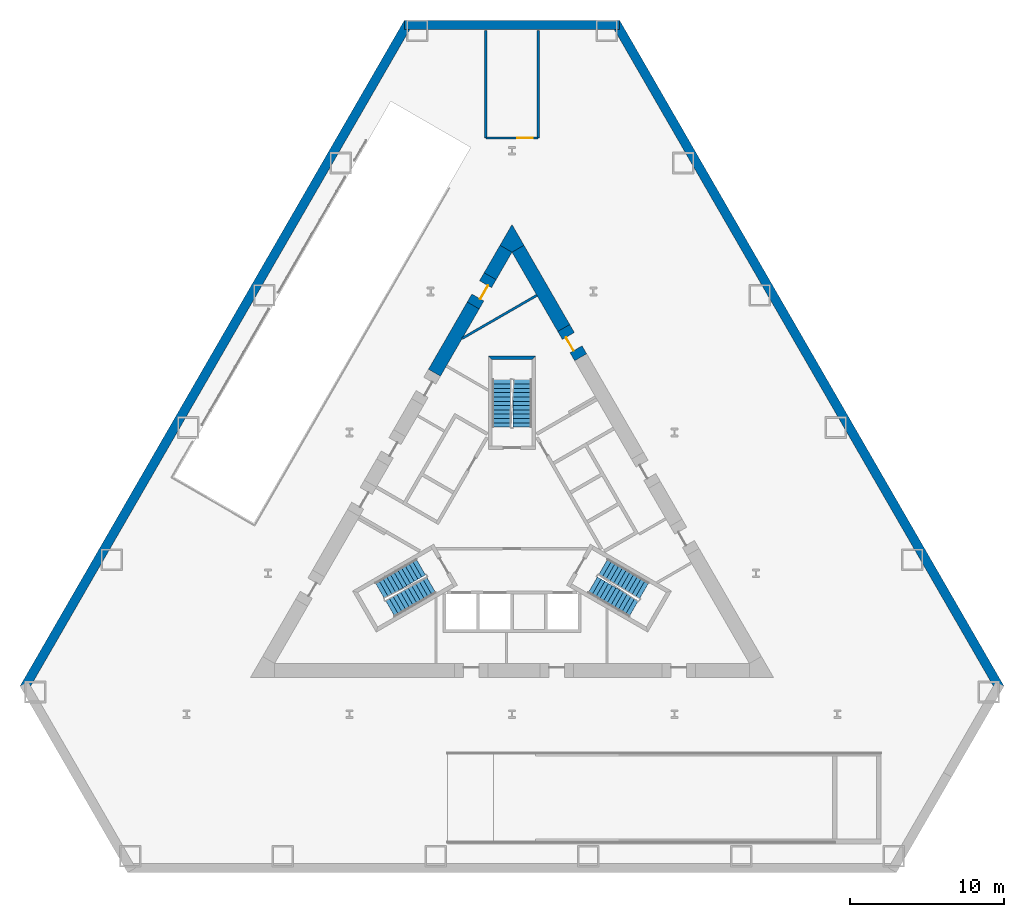
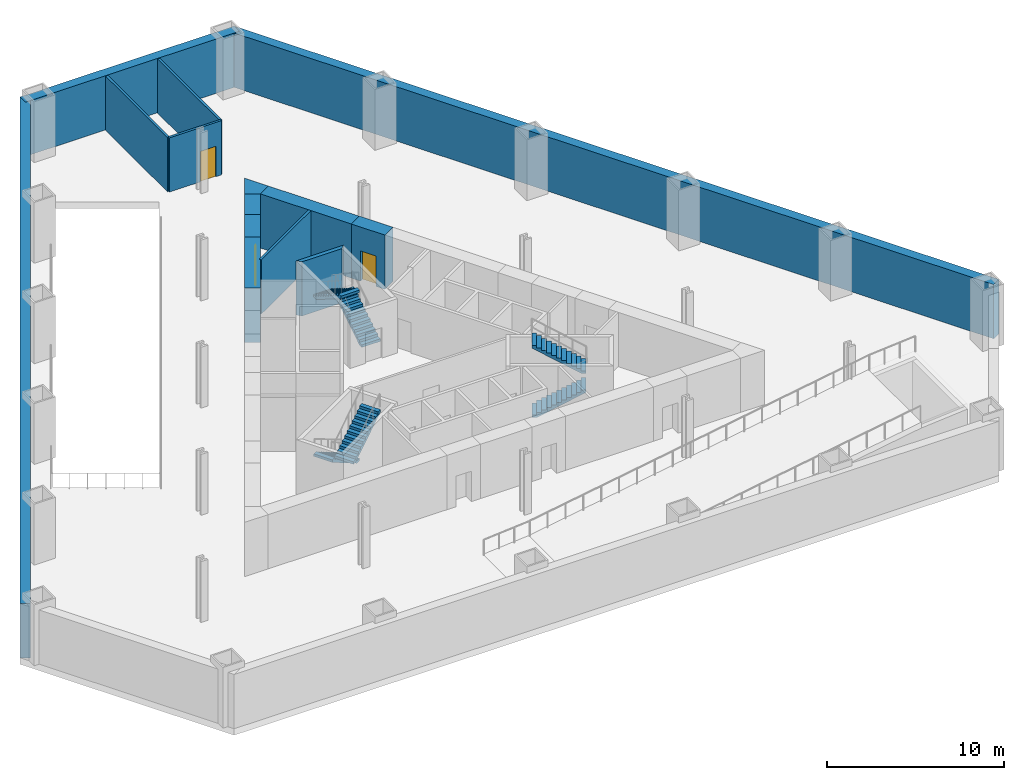
# One storey, part 4 of 5: 14 walls, 6 stair flights, 3 doors, 3 openings, 3 elements without a shape of their own.
"""IFC4 building model written with IfcOpenShell, lengths in metres."""

from ifc_helpers import new_model, si_unit, direction, frame, frame_2d, origin, place, context, subcontext, project, spatial, polyline, rectangle, outline, extrude, material, layer, layer_set, type_object, element, fill, aggregate, save


model = new_model("IFC4")

# Units and contexts
model_context = context("Model", 3, precision=1e-05, world=origin(), true_north=direction((0.0, 1.0)))
body_context = subcontext(model_context, "Body", "Model", "MODEL_VIEW")
ifc_project = project(units=[si_unit("LENGTHUNIT", "METRE"), si_unit("AREAUNIT", "SQUARE_METRE"), si_unit("VOLUMEUNIT", "CUBIC_METRE"), si_unit("PLANEANGLEUNIT", "RADIAN"), si_unit("MASSUNIT", "GRAM", prefix="KILO")], contexts=[model_context])

# Site, building, storey
site_placement = place(None, origin())
site = spatial("IfcSite", under=ifc_project, at=site_placement, CompositionType="ELEMENT")
building_placement = place(site_placement, origin())
building = spatial("IfcBuilding", under=site, at=building_placement, Name="Cormorant Prow Tower", CompositionType="ELEMENT")
storey_placement = place(building_placement, frame((0.0, 0.0, -4.199951171875)))
storey = spatial("IfcBuildingStorey", under=building, at=storey_placement, Name="B1", CompositionType="ELEMENT", Elevation=-4.199951171875)

# Walls
ifc_material_1 = material(Name="Concrete C45/55", Category="concrete")
ifc_layer_1 = layer(ifc_material_1, 0.60009765625)
ifc_layer_set_1 = layer_set([ifc_layer_1], Name="Concrete C45/55")
wall_type_1 = type_object("IfcWallType", Name="Basement retaining wall 600", PredefinedType="SOLIDWALL", material=ifc_layer_set_1)
wall_1_placement = place(storey_placement, frame((31.740234375, -10.542236328125, 0.0), z_axis=(0.0, 0.0, 1.0), x_axis=(-0.500000005698, 0.866025400495, 0.0)))
element("IfcWall", 1, at=wall_1_placement, inside=storey, type_object=wall_type_1, Name="Basement retaining wall 4 at B1", PredefinedType="SOLIDWALL", context=body_context, shape_type="SweptSolid", body=[
    extrude(rectangle(XDim=50.0, YDim=0.60009765625, at=frame_2d((25.0, 0.0))), origin(), (0.0, 0.0, 1.0), 3.75),
])
wall_2_placement = place(storey_placement, frame((7.0, 32.60888671875, 0.0), z_axis=(0.0, 0.0, 1.0), x_axis=(-1.0, 0.0, 0.0)))
element("IfcWall", 2, at=wall_2_placement, inside=storey, type_object=wall_type_1, Name="Basement retaining wall 5 at B1", PredefinedType="SOLIDWALL", context=body_context, shape_type="SweptSolid", body=[
    extrude(rectangle(XDim=14.0, YDim=0.60009765625, at=frame_2d((7.0, 0.0))), origin(), (0.0, 0.0, 1.0), 3.75),
])
wall_3_placement = place(storey_placement, frame((-6.740234375, 32.759033203125, 0.0), z_axis=(0.0, 0.0, 1.0), x_axis=(-0.500000005698, -0.866025400495, 0.0)))
element("IfcWall", 3, at=wall_3_placement, inside=storey, type_object=wall_type_1, Name="Basement retaining wall 6 at B1", PredefinedType="SOLIDWALL", context=body_context, shape_type="SweptSolid", body=[
    extrude(rectangle(XDim=50.0, YDim=0.60009765625, at=frame_2d((25.0, 0.0))), origin(), (0.0, 0.0, 1.0), 3.75),
])
ifc_material_2 = material(Name="Gypsum board partition")
ifc_layer_2 = layer(ifc_material_2, 0.14990234375)
ifc_layer_set_2 = layer_set([ifc_layer_2], Name="Gypsum board partition")
wall_type_2 = type_object("IfcWallType", Name="Core partition 150", PredefinedType="PARTITIONING", material=ifc_layer_set_2)
wall_4_placement = place(storey_placement, frame((1.61865234375, 15.0263671875, 0.0), z_axis=(0.0, 0.0, 1.0), x_axis=(-0.866015917575, -0.500016430238, 0.0)))
element("IfcWall", 4, at=wall_4_placement, inside=storey, type_object=wall_type_2, Name="Service room partition", PredefinedType="PARTITIONING", context=body_context, shape_type="SweptSolid", body=[
    extrude(rectangle(XDim=5.607177734375, YDim=0.14990234375, at=frame_2d((2.8037109375, 0.0))), origin(), (0.0, 0.0, 1.0), 3.75),
])
for number, where, z_axis, x_axis, name in (
    (5, (1.699951171875, 32.259033203125, 0.0), (0.0, 0.0, 1.0), (0.0, -1.0, 0.0), "Tunnel link wall"),
    (6, (-1.699951171875, 25.259033203125, 0.0), (0.0, 0.0, 1.0), (0.0, 1.0, 0.0), "Tunnel link wall"),
):
    element("IfcWall", number, at=place(storey_placement, frame(where, z_axis=z_axis, x_axis=x_axis)), inside=storey, type_object=wall_type_2, Name=name, PredefinedType="PARTITIONING", context=body_context, shape_type="SweptSolid", body=[
        extrude(rectangle(XDim=7.0, YDim=0.14990234375, at=frame_2d((3.5, 0.0))), origin(), (0.0, 0.0, 1.0), 3.75),
    ])

# Wall, opening, door
wall_5_placement = place(storey_placement, frame((1.699951171875, 25.259033203125, 0.0), z_axis=(0.0, 0.0, 1.0), x_axis=(-1.0, 0.0, 0.0)))
wall_5 = element("IfcWall", 7, at=wall_5_placement, inside=storey, type_object=wall_type_2, Name="Tunnel link end wall", PredefinedType="PARTITIONING", context=body_context, shape_type="SweptSolid", body=[
    extrude(rectangle(XDim=3.39990234375, YDim=0.14990234375, at=frame_2d((1.699951171875, 0.0))), origin(), (0.0, 0.0, 1.0), 3.75),
])
opening_1_placement = place(wall_5_placement, frame((0.35009765625, 0.0, 0.0)))
opening_1 = element("IfcOpeningElement", 8, at=opening_1_placement, cuts=wall_5, Name="Opening B1-TL01", PredefinedType="OPENING", context=body_context, shape_type="SweptSolid", body=[
    extrude(rectangle(XDim=1.0, YDim=2.10009765625, at=frame_2d((0.5, 1.050048828125))), frame((0.0, 0.0849609375, 0.0), z_axis=(0.0, -1.0, 0.0), x_axis=(1.0, 0.0, 0.0)), (0.0, 0.0, 1.0), 0.169921875),
])
ifc_material_3 = material(Name="Painted steel", Category="steel")
door_type_1 = type_object("IfcDoorType", Name="Loading dock personnel door 1000x2100", OperationType="NOTDEFINED", PredefinedType="DOOR", material=ifc_material_3)
door_1_placement = place(opening_1_placement, origin())
door_1 = element("IfcDoor", 9, at=door_1_placement, inside=storey, type_object=door_type_1, Name="Tunnel link door", OperationType="SINGLE_SWING_LEFT", OverallHeight=2.10009765625, OverallWidth=1.0, PredefinedType="DOOR", context=body_context, shape_type="SweptSolid", body=[
    extrude(rectangle(XDim=1.0, YDim=2.10009765625, at=frame_2d((0.5, 1.050048828125))), frame((0.0, 0.02490234375, 0.0), z_axis=(0.0, -1.0, 0.0), x_axis=(1.0, 0.0, 0.0)), (0.0, 0.0, 1.0), 0.050048828125),
])
fill(opening_1, door_1)

# Walls
ifc_material_4 = material(Name="Concrete 8000 psi", Category="concrete")
ifc_layer_3 = layer(ifc_material_4, 0.89990234375)
ifc_layer_set_3 = layer_set([ifc_layer_3], Name="Concrete 8000 psi")
wall_type_3 = type_object("IfcWallType", Name="Core shear wall 900", PredefinedType="SHEAR", material=ifc_layer_set_3)
wall_6_placement = place(storey_placement, frame((3.365478515625, 12.900390625, 0.0), z_axis=(0.0, 0.0, 1.0), x_axis=(-0.499981657175, 0.86603599376, 0.0)))
element("IfcWall", 10, at=wall_6_placement, inside=storey, type_object=wall_type_3, Name="Core wall", PredefinedType="SHEAR", context=body_context, shape_type="SweptSolid", body=[
    extrude(rectangle(XDim=5.951904296875, YDim=0.89990234375, at=frame_2d((2.97607421875, 0.0))), origin(), (0.0, 0.0, 1.0), 3.75),
])
wall_7_placement = place(storey_placement, frame((-2.52099609375, 14.363525390625, 0.0), z_axis=(0.0, 0.0, 1.0), x_axis=(-0.500014099723, -0.866017263153, 0.0)))
element("IfcWall", 11, at=wall_7_placement, inside=storey, type_object=wall_type_3, Name="Core wall", PredefinedType="SHEAR", context=body_context, shape_type="SweptSolid", body=[
    extrude(rectangle(XDim=5.048095703125, YDim=0.89990234375, at=frame_2d((2.52392578125, 0.0))), origin(), (0.0, 0.0, 1.0), 3.75),
])
wall_8_placement = place(storey_placement, frame((-0.3896484375, 18.054931640625, 0.0), z_axis=(0.0, 0.0, 1.0), x_axis=(-0.500009360108, -0.866019999656, 0.0)))
element("IfcWall", 12, at=wall_8_placement, inside=storey, type_object=wall_type_3, Name="Core wall", PredefinedType="SHEAR", context=body_context, shape_type="SweptSolid", body=[
    extrude(rectangle(XDim=2.0625, YDim=0.89990234375, at=frame_2d((1.03125, 0.0))), origin(), (0.0, 0.0, 1.0), 3.75),
])
wall_9_placement = place(storey_placement, origin())
element("IfcWall", 13, at=wall_9_placement, inside=storey, type_object=wall_type_3, Name="Core wall corner", PredefinedType="SHEAR", context=body_context, shape_type="SweptSolid", body=[
    extrude(outline(polyline([(-0.779296875, 18.27978515625), (0.0, 19.6298828125), (0.779296875, 18.27978515625), (0.0, 17.829833984375), (-0.779296875, 18.27978515625)])), origin(), (0.0, 0.0, 1.0), 3.75),
])

# Wall, opening, door
wall_10_placement = place(storey_placement, frame((4.465576171875, 10.995361328125, 0.0), z_axis=(0.0, 0.0, 1.0), x_axis=(-0.500077893725, 0.86598042715, 0.0)))
wall_10 = element("IfcWall", 14, at=wall_10_placement, inside=storey, type_object=wall_type_3, Name="Core wall door panel", PredefinedType="SHEAR", context=body_context, shape_type="SweptSolid", body=[
    extrude(rectangle(XDim=2.199951171875, YDim=0.89990234375, at=frame_2d((1.10009765625, 0.0))), origin(), (0.0, 0.0, 1.0), 3.75),
])
opening_2_placement = place(wall_10_placement, frame((0.60009765625, 0.0, 0.0)))
opening_2 = element("IfcOpeningElement", 15, at=opening_2_placement, cuts=wall_10, Name="Opening B1-C18", PredefinedType="OPENING", context=body_context, shape_type="SweptSolid", body=[
    extrude(rectangle(XDim=1.0, YDim=2.10009765625, at=frame_2d((0.5, 1.050048828125))), frame((0.0, 0.4599609375, 0.0), z_axis=(0.0, -1.0, 0.0), x_axis=(1.0, 0.0, 0.0)), (0.0, 0.0, 1.0), 0.919921875),
])
ifc_material_5 = material(Name="Painted steel", Category="steel")
door_type_2 = type_object("IfcDoorType", Name="Service door 1000x2100", OperationType="NOTDEFINED", PredefinedType="DOOR", material=ifc_material_5)
door_2_placement = place(opening_2_placement, origin())
door_2 = element("IfcDoor", 16, at=door_2_placement, inside=storey, type_object=door_type_2, Name="Core door, Housekeeping store", OperationType="SINGLE_SWING_RIGHT", OverallHeight=2.10009765625, OverallWidth=1.0, PredefinedType="DOOR", context=body_context, shape_type="SweptSolid", body=[
    extrude(rectangle(XDim=1.0, YDim=2.10009765625, at=frame_2d((0.5, 1.050048828125))), frame((0.0, 0.205078125, 0.0), z_axis=(0.0, -1.0, 0.0), x_axis=(1.0, 0.0, 0.0)), (0.0, 0.0, 1.0), 0.050048828125),
])
fill(opening_2, door_2)

wall_11_placement = place(storey_placement, frame((-1.4208984375, 16.268798828125, 0.0), z_axis=(0.0, 0.0, 1.0), x_axis=(-0.50002983664, -0.866008176907, 0.0)))
wall_11 = element("IfcWall", 17, at=wall_11_placement, inside=storey, type_object=wall_type_3, Name="Core wall door panel", PredefinedType="SHEAR", context=body_context, shape_type="SweptSolid", body=[
    extrude(rectangle(XDim=2.199951171875, YDim=0.89990234375, at=frame_2d((1.10009765625, 0.0))), origin(), (0.0, 0.0, 1.0), 3.75),
])
opening_3_placement = place(wall_11_placement, frame((0.60009765625, 0.0, 0.0)))
opening_3 = element("IfcOpeningElement", 18, at=opening_3_placement, cuts=wall_11, Name="Opening B1-C19", PredefinedType="OPENING", context=body_context, shape_type="SweptSolid", body=[
    extrude(rectangle(XDim=1.0, YDim=2.10009765625, at=frame_2d((0.5, 1.050048828125))), frame((0.0, 0.4599609375, 0.0), z_axis=(0.0, -1.0, 0.0), x_axis=(1.0, 0.0, 0.0)), (0.0, 0.0, 1.0), 0.919921875),
])
door_3_placement = place(opening_3_placement, origin())
door_3 = element("IfcDoor", 19, at=door_3_placement, inside=storey, type_object=door_type_2, Name="Core door, Electrical room", OperationType="SINGLE_SWING_RIGHT", OverallHeight=2.10009765625, OverallWidth=1.0, PredefinedType="DOOR", context=body_context, shape_type="SweptSolid", body=[
    extrude(rectangle(XDim=1.0, YDim=2.10009765625, at=frame_2d((0.5, 1.050048828125))), frame((0.0, 0.205078125, 0.0), z_axis=(0.0, -1.0, 0.0), x_axis=(1.0, 0.0, 0.0)), (0.0, 0.0, 1.0), 0.050048828125),
])
fill(opening_3, door_3)

# Wall
ifc_material_6 = material(Name="Concrete 8000 psi", Category="concrete")
ifc_layer_4 = layer(ifc_material_6, 0.25)
ifc_layer_set_4 = layer_set([ifc_layer_4], Name="Concrete 8000 psi")
wall_type_4 = type_object("IfcWallType", Name="Stair wall 250", PredefinedType="SHEAR", material=ifc_layer_set_4)
wall_12_placement = place(storey_placement, origin())
element("IfcWall", 20, at=wall_12_placement, inside=storey, type_object=wall_type_4, Name="Stair ST3 enclosure wall (end)", PredefinedType="SHEAR", context=body_context, shape_type="SweptSolid", body=[
    extrude(outline(polyline([(1.5439453125, 11.0869140625), (-1.5439453125, 11.0869140625), (-1.2939453125, 10.8369140625), (1.2939453125, 10.8369140625), (1.5439453125, 11.0869140625)])), origin(), (0.0, 0.0, 1.0), 3.75),
])

# Stair, stair flights
ifc_material_7 = material(Name="Exit stair 24 risers")
stair_type = type_object("IfcStairType", Name="Exit stair 24 risers", PredefinedType="HALF_TURN_STAIR", material=ifc_material_7)
stair_1_placement = place(storey_placement, origin())
stair_1 = element("IfcStair", 21, at=stair_1_placement, inside=storey, type_object=stair_type, Name="B1 Exit stair ST1", PredefinedType="HALF_TURN_STAIR")
ifc_material_8 = material(Name="Concrete 5000 psi", Category="concrete")
stair_flight_type = type_object("IfcStairFlightType", Name="Stair flight 1219", PredefinedType="STRAIGHT", material=ifc_material_8)
stair_flight_1_placement = place(storey_placement, frame((-5.93310546875, -2.635009765625, 0.0), z_axis=(0.0, 0.0, 1.0), x_axis=(-0.866025403784, -0.5, 0.0)))
stair_flight_1 = element("IfcStairFlight", 22, at=stair_flight_1_placement, type_object=stair_flight_type, Name="ST1 flight 1", NumberOfRisers=12, NumberOfTreads=11, PredefinedType="STRAIGHT", RiserHeight=0.175, TreadLength=0.28, context=body_context, shape_type="SweptSolid", body=[
    extrude(outline(polyline([(0.0, 0.0), (0.0, 0.175048828125), (0.280029296875, 0.175048828125), (0.280029296875, 0.35009765625), (0.56005859375, 0.35009765625), (0.56005859375, 0.52490234375), (0.840087890625, 0.52490234375), (0.840087890625, 0.699951171875), (1.1201171875, 0.699951171875), (1.1201171875, 0.875), (1.39990234375, 0.875), (1.39990234375, 1.050048828125), (1.679931640625, 1.050048828125), (1.679931640625, 1.22509765625), (1.9599609375, 1.22509765625), (1.9599609375, 1.39990234375), (2.239990234375, 1.39990234375), (2.239990234375, 1.574951171875), (2.52001953125, 1.574951171875), (2.52001953125, 1.75), (2.800048828125, 1.75), (2.800048828125, 1.925048828125), (3.080078125, 1.925048828125), (3.080078125, 2.10009765625), (3.080078125, 1.748291015625), (0.28271484375, 0.0), (0.0, 0.0)])), frame((0.0, 0.609375, 0.0), z_axis=(0.0, -1.0, 0.0), x_axis=(1.0, 0.0, 0.0)), (0.0, 0.0, 1.0), 1.218994140625),
])
stair_flight_2_placement = place(storey_placement, frame((-7.916015625, -5.360595703125, 2.099853515625), z_axis=(0.0, 0.0, 1.0), x_axis=(0.866025403784, 0.5, 0.0)))
stair_flight_2 = element("IfcStairFlight", 23, at=stair_flight_2_placement, type_object=stair_flight_type, Name="ST1 flight 2", NumberOfRisers=12, NumberOfTreads=11, PredefinedType="STRAIGHT", RiserHeight=0.175, TreadLength=0.28, context=body_context, shape_type="SweptSolid", body=[
    extrude(outline(polyline([(0.0, 0.0), (0.0, 0.175048828125), (0.280029296875, 0.175048828125), (0.280029296875, 0.35009765625), (0.56005859375, 0.35009765625), (0.56005859375, 0.52490234375), (0.840087890625, 0.52490234375), (0.840087890625, 0.699951171875), (1.1201171875, 0.699951171875), (1.1201171875, 0.875), (1.39990234375, 0.875), (1.39990234375, 1.050048828125), (1.679931640625, 1.050048828125), (1.679931640625, 1.22509765625), (1.9599609375, 1.22509765625), (1.9599609375, 1.39990234375), (2.239990234375, 1.39990234375), (2.239990234375, 1.574951171875), (2.52001953125, 1.574951171875), (2.52001953125, 1.75), (2.800048828125, 1.75), (2.800048828125, 1.925048828125), (3.080078125, 1.925048828125), (3.080078125, 2.10009765625), (3.080078125, 1.748291015625), (0.28271484375, 0.0), (0.0, 0.0)])), frame((0.0, 0.609375, 0.0), z_axis=(0.0, -1.0, 0.0), x_axis=(1.0, 0.0, 0.0)), (0.0, 0.0, 1.0), 1.218994140625),
])
aggregate(stair_1, [stair_flight_1, stair_flight_2])

stair_2_placement = place(storey_placement, origin())
stair_2 = element("IfcStair", 24, at=stair_2_placement, inside=storey, type_object=stair_type, Name="B1 Exit stair ST2", PredefinedType="HALF_TURN_STAIR")
stair_flight_3_placement = place(storey_placement, frame((5.24853515625, -3.82080078125, 0.0), z_axis=(0.0, 0.0, 1.0), x_axis=(0.866025403784, -0.5, 0.0)))
stair_flight_3 = element("IfcStairFlight", 25, at=stair_flight_3_placement, type_object=stair_flight_type, Name="ST2 flight 1", NumberOfRisers=12, NumberOfTreads=11, PredefinedType="STRAIGHT", RiserHeight=0.175, TreadLength=0.28, context=body_context, shape_type="SweptSolid", body=[
    extrude(outline(polyline([(0.0, 0.0), (0.0, 0.175048828125), (0.280029296875, 0.175048828125), (0.280029296875, 0.35009765625), (0.56005859375, 0.35009765625), (0.56005859375, 0.52490234375), (0.840087890625, 0.52490234375), (0.840087890625, 0.699951171875), (1.1201171875, 0.699951171875), (1.1201171875, 0.875), (1.39990234375, 0.875), (1.39990234375, 1.050048828125), (1.679931640625, 1.050048828125), (1.679931640625, 1.22509765625), (1.9599609375, 1.22509765625), (1.9599609375, 1.39990234375), (2.239990234375, 1.39990234375), (2.239990234375, 1.574951171875), (2.52001953125, 1.574951171875), (2.52001953125, 1.75), (2.800048828125, 1.75), (2.800048828125, 1.925048828125), (3.080078125, 1.925048828125), (3.080078125, 2.10009765625), (3.080078125, 1.748291015625), (0.28271484375, 0.0), (0.0, 0.0)])), frame((0.0, 0.609375, 0.0), z_axis=(0.0, -1.0, 0.0), x_axis=(1.0, 0.0, 0.0)), (0.0, 0.0, 1.0), 1.218994140625),
])
stair_flight_4_placement = place(storey_placement, frame((8.6005859375, -4.175048828125, 2.099853515625), z_axis=(0.0, 0.0, 1.0), x_axis=(-0.866025403784, 0.5, 0.0)))
stair_flight_4 = element("IfcStairFlight", 26, at=stair_flight_4_placement, type_object=stair_flight_type, Name="ST2 flight 2", NumberOfRisers=12, NumberOfTreads=11, PredefinedType="STRAIGHT", RiserHeight=0.175, TreadLength=0.28, context=body_context, shape_type="SweptSolid", body=[
    extrude(outline(polyline([(0.0, 0.0), (0.0, 0.175048828125), (0.280029296875, 0.175048828125), (0.280029296875, 0.35009765625), (0.56005859375, 0.35009765625), (0.56005859375, 0.52490234375), (0.840087890625, 0.52490234375), (0.840087890625, 0.699951171875), (1.1201171875, 0.699951171875), (1.1201171875, 0.875), (1.39990234375, 0.875), (1.39990234375, 1.050048828125), (1.679931640625, 1.050048828125), (1.679931640625, 1.22509765625), (1.9599609375, 1.22509765625), (1.9599609375, 1.39990234375), (2.239990234375, 1.39990234375), (2.239990234375, 1.574951171875), (2.52001953125, 1.574951171875), (2.52001953125, 1.75), (2.800048828125, 1.75), (2.800048828125, 1.925048828125), (3.080078125, 1.925048828125), (3.080078125, 2.10009765625), (3.080078125, 1.748291015625), (0.28271484375, 0.0), (0.0, 0.0)])), frame((0.0, 0.609375, 0.0), z_axis=(0.0, -1.0, 0.0), x_axis=(1.0, 0.0, 0.0)), (0.0, 0.0, 1.0), 1.218994140625),
])
aggregate(stair_2, [stair_flight_3, stair_flight_4])

stair_3_placement = place(storey_placement, origin())
stair_3 = element("IfcStair", 27, at=stair_3_placement, inside=storey, type_object=stair_type, Name="B1 Exit stair ST3", PredefinedType="HALF_TURN_STAIR")
stair_flight_5_placement = place(storey_placement, frame((0.6845703125, 6.455810546875, 0.0), z_axis=(0.0, 0.0, 1.0), x_axis=(0.0, 1.0, 0.0)))
stair_flight_5 = element("IfcStairFlight", 28, at=stair_flight_5_placement, type_object=stair_flight_type, Name="ST3 flight 1", NumberOfRisers=12, NumberOfTreads=11, PredefinedType="STRAIGHT", RiserHeight=0.175, TreadLength=0.28, context=body_context, shape_type="SweptSolid", body=[
    extrude(outline(polyline([(0.0, 0.0), (0.0, 0.175048828125), (0.280029296875, 0.175048828125), (0.280029296875, 0.35009765625), (0.56005859375, 0.35009765625), (0.56005859375, 0.52490234375), (0.840087890625, 0.52490234375), (0.840087890625, 0.699951171875), (1.1201171875, 0.699951171875), (1.1201171875, 0.875), (1.39990234375, 0.875), (1.39990234375, 1.050048828125), (1.679931640625, 1.050048828125), (1.679931640625, 1.22509765625), (1.9599609375, 1.22509765625), (1.9599609375, 1.39990234375), (2.239990234375, 1.39990234375), (2.239990234375, 1.574951171875), (2.52001953125, 1.574951171875), (2.52001953125, 1.75), (2.800048828125, 1.75), (2.800048828125, 1.925048828125), (3.080078125, 1.925048828125), (3.080078125, 2.10009765625), (3.080078125, 1.748291015625), (0.28271484375, 0.0), (0.0, 0.0)])), frame((0.0, 0.609375, 0.0), z_axis=(0.0, -1.0, 0.0), x_axis=(1.0, 0.0, 0.0)), (0.0, 0.0, 1.0), 1.218994140625),
])
stair_flight_6_placement = place(storey_placement, frame((-0.6845703125, 9.535888671875, 2.099853515625), z_axis=(0.0, 0.0, 1.0), x_axis=(0.0, -1.0, 0.0)))
stair_flight_6 = element("IfcStairFlight", 29, at=stair_flight_6_placement, type_object=stair_flight_type, Name="ST3 flight 2", NumberOfRisers=12, NumberOfTreads=11, PredefinedType="STRAIGHT", RiserHeight=0.175, TreadLength=0.28, context=body_context, shape_type="SweptSolid", body=[
    extrude(outline(polyline([(0.0, 0.0), (0.0, 0.175048828125), (0.280029296875, 0.175048828125), (0.280029296875, 0.35009765625), (0.56005859375, 0.35009765625), (0.56005859375, 0.52490234375), (0.840087890625, 0.52490234375), (0.840087890625, 0.699951171875), (1.1201171875, 0.699951171875), (1.1201171875, 0.875), (1.39990234375, 0.875), (1.39990234375, 1.050048828125), (1.679931640625, 1.050048828125), (1.679931640625, 1.22509765625), (1.9599609375, 1.22509765625), (1.9599609375, 1.39990234375), (2.239990234375, 1.39990234375), (2.239990234375, 1.574951171875), (2.52001953125, 1.574951171875), (2.52001953125, 1.75), (2.800048828125, 1.75), (2.800048828125, 1.925048828125), (3.080078125, 1.925048828125), (3.080078125, 2.10009765625), (3.080078125, 1.748291015625), (0.28271484375, 0.0), (0.0, 0.0)])), frame((0.0, 0.609375, 0.0), z_axis=(0.0, -1.0, 0.0), x_axis=(1.0, 0.0, 0.0)), (0.0, 0.0, 1.0), 1.218994140625),
])
aggregate(stair_3, [stair_flight_5, stair_flight_6])

save(model, "model.ifc")
